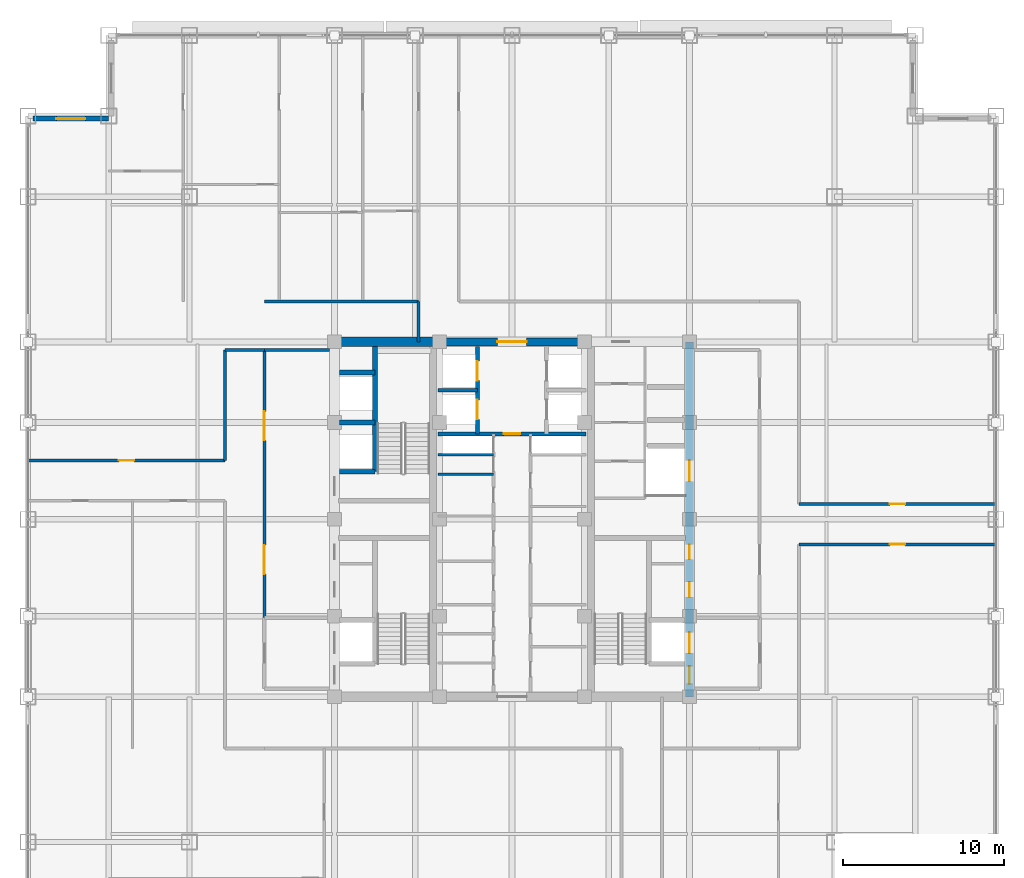
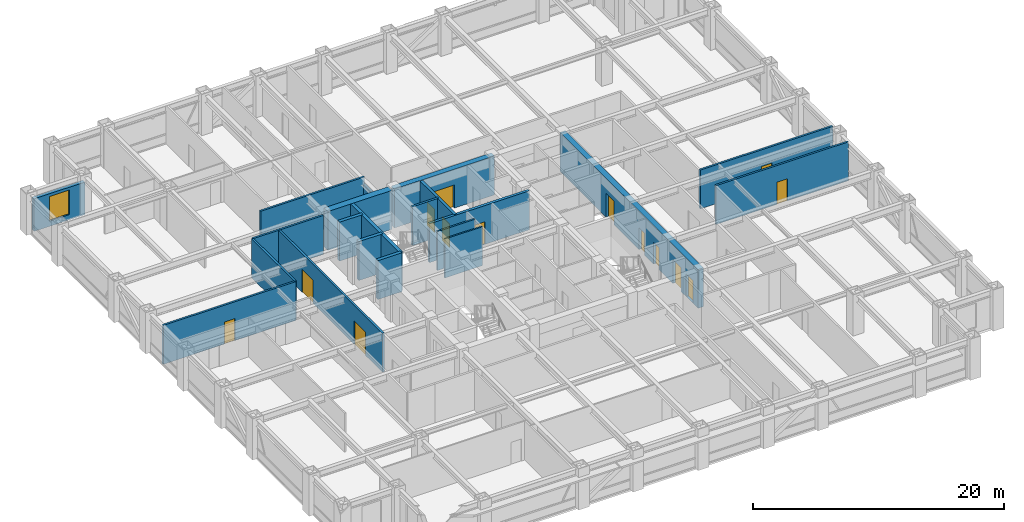
# One storey, part 22 of 29: 22 walls, 14 doors, 1 window, 15 openings.
"""IFC4 building model written with IfcOpenShell, lengths in metres."""

from ifc_helpers import new_model, si_unit, direction, frame, frame_2d, origin, place, context, subcontext, project, spatial, rectangle, extrude, source, transform, mapped, material, layer, layer_set, type_object, element, fill, save


model = new_model("IFC4")

# Units and contexts
model_context = context("Model", 3, precision=1e-05, world=origin(), true_north=direction((0.0, 1.0)))
body_context = subcontext(model_context, "Body", "Model", "MODEL_VIEW")
ifc_project = project(units=[si_unit("LENGTHUNIT", "METRE"), si_unit("AREAUNIT", "SQUARE_METRE"), si_unit("VOLUMEUNIT", "CUBIC_METRE"), si_unit("PLANEANGLEUNIT", "RADIAN"), si_unit("MASSUNIT", "GRAM", prefix="KILO")], contexts=[model_context])

# Site, building, storey
site_placement = place(None, origin())
site = spatial("IfcSite", under=ifc_project, at=site_placement, CompositionType="ELEMENT")
building_placement = place(site_placement, origin())
building = spatial("IfcBuilding", under=site, at=building_placement, Name="Khorayat Bourse Tower", CompositionType="ELEMENT")
storey_placement = place(building_placement, frame((0.0, 0.0, 239.10009765625)))
storey = spatial("IfcBuildingStorey", under=building, at=storey_placement, Name="L56", CompositionType="ELEMENT", Elevation=239.10009765625)

# Wall, opening, door
ifc_material_1 = material(Name="Concrete C52/65", Category="concrete")
ifc_layer_1 = layer(ifc_material_1, 0.5)
ifc_layer_set_1 = layer_set([ifc_layer_1], Name="Concrete C52/65")
wall_type_1 = type_object("IfcWallType", Name="WAL-CORE-500", PredefinedType="SHEAR", material=ifc_layer_set_1)
shared_shape_1 = source(origin(), body_context, "Body", "SweptSolid", [
    extrude(rectangle(XDim=9.2001953125, YDim=0.5, at=frame_2d((4.60009765625, 0.0))), origin(), (0.0, 0.0, 1.0), 3.77978515625),
])
wall_1_placement = place(storey_placement, frame((-4.60009765625, 11.0, 0.0), z_axis=(0.0, 0.0, 1.0), x_axis=(1.0, 0.0, 0.0)))
wall_1 = element("IfcWall", 1, at=wall_1_placement, inside=storey, type_object=wall_type_1, Name="L56 Core Shear Wall CORE-N", PredefinedType="SHEAR", context=body_context, shape_type="MappedRepresentation", body=[
    mapped(shared_shape_1, transform((0.0, 0.0, 0.0), scale=1.0)),
])
shared_shape_2 = source(origin(), body_context, "Body", "SweptSolid", [
    extrude(rectangle(XDim=1.800048828125, YDim=2.25, at=frame_2d((0.89990234375, 1.125))), frame((0.0, 0.260009765625, 0.0), z_axis=(0.0, -1.0, 0.0), x_axis=(1.0, 0.0, 0.0)), (0.0, 0.0, 1.0), 0.52001953125),
])
opening_1_placement = place(wall_1_placement, frame((3.699951171875, 0.0, 0.0)))
opening_1 = element("IfcOpeningElement", 2, at=opening_1_placement, cuts=wall_1, Name="Opening DI-03", PredefinedType="OPENING", context=body_context, shape_type="MappedRepresentation", body=[
    mapped(shared_shape_2, transform((0.0, 0.0, 0.0), scale=1.0)),
])
ifc_material_2 = material(Name="Fire-rated hardwood vision-panel double leaf", Category="wood")
door_type_1 = type_object("IfcDoorType", Name="DR-INT-CORR-1800", OperationType="NOTDEFINED", PredefinedType="DOOR", material=ifc_material_2)
shared_shape_3 = source(origin(), body_context, "Body", "SweptSolid", [
    extrude(rectangle(XDim=1.800048828125, YDim=2.25, at=frame_2d((0.89990234375, 1.125))), frame((0.0, 0.02490234375, 0.0), z_axis=(0.0, -1.0, 0.0), x_axis=(1.0, 0.0, 0.0)), (0.0, 0.0, 1.0), 0.050048828125),
])
door_1_placement = place(opening_1_placement, origin())
door_1 = element("IfcDoor", 3, at=door_1_placement, inside=storey, type_object=door_type_1, Name="L56 Mid-Rise Lift Lobby Door", OperationType="SINGLE_SWING_RIGHT", OverallHeight=2.25, OverallWidth=1.800048828125, PredefinedType="DOOR", context=body_context, shape_type="MappedRepresentation", body=[
    mapped(shared_shape_3, transform((0.0, 0.0, 0.0), scale=1.0)),
])
fill(opening_1, door_1)

# Wall, openings, doors
shared_shape_4 = source(origin(), body_context, "Body", "SweptSolid", [
    extrude(rectangle(XDim=22.0, YDim=0.5, at=frame_2d((11.0, 0.0))), origin(), (0.0, 0.0, 1.0), 3.77978515625),
])
wall_2_placement = place(storey_placement, frame((11.0, -11.0, 0.0), z_axis=(0.0, 0.0, 1.0), x_axis=(0.0, 1.0, 0.0)))
wall_2 = element("IfcWall", 4, at=wall_2_placement, inside=storey, type_object=wall_type_1, Name="L56 Core Shear Wall CORE-E", PredefinedType="SHEAR", context=body_context, shape_type="MappedRepresentation", body=[
    mapped(shared_shape_4, transform((0.0, 0.0, 0.0), scale=1.0)),
])
shared_shape_5 = source(origin(), body_context, "Body", "SweptSolid", [
    extrude(rectangle(XDim=1.10009765625, YDim=2.199951171875, at=frame_2d((0.550048828125, 1.10009765625))), frame((0.0, 0.260009765625, 0.0), z_axis=(0.0, -1.0, 0.0), x_axis=(1.0, 0.0, 0.0)), (0.0, 0.0, 1.0), 0.52001953125),
])
opening_2_placement = place(wall_2_placement, frame((0.800048828125, 0.0, 0.0)))
opening_2 = element("IfcOpeningElement", 5, at=opening_2_placement, cuts=wall_2, Name="Opening DI-01", PredefinedType="OPENING", context=body_context, shape_type="MappedRepresentation", body=[
    mapped(shared_shape_5, transform((0.0, 0.0, 0.0), scale=1.0)),
])
shared_shape_6 = source(origin(), body_context, "Body", "SweptSolid", [
    extrude(rectangle(XDim=0.89990234375, YDim=2.14990234375, at=frame_2d((0.449951171875, 1.074951171875))), frame((0.0, 0.260009765625, 0.0), z_axis=(0.0, -1.0, 0.0), x_axis=(1.0, 0.0, 0.0)), (0.0, 0.0, 1.0), 0.52001953125),
])
opening_3_placement = place(wall_2_placement, frame((6.199951171875, 0.0, 0.0)))
opening_3 = element("IfcOpeningElement", 6, at=opening_3_placement, cuts=wall_2, Name="Opening DI-06", PredefinedType="OPENING", context=body_context, shape_type="MappedRepresentation", body=[
    mapped(shared_shape_6, transform((0.0, 0.0, 0.0), scale=1.0)),
])
opening_4_placement = place(wall_2_placement, frame((8.52490234375, 0.0, 0.0)))
opening_4 = element("IfcOpeningElement", 7, at=opening_4_placement, cuts=wall_2, Name="Opening DI-06", PredefinedType="OPENING", context=body_context, shape_type="MappedRepresentation", body=[
    mapped(shared_shape_6, transform((0.0, 0.0, 0.0), scale=1.0)),
])
shared_shape_7 = source(origin(), body_context, "Body", "SweptSolid", [
    extrude(rectangle(XDim=1.300048828125, YDim=2.300048828125, at=frame_2d((0.64990234375, 1.14990234375))), frame((0.0, 0.260009765625, 0.0), z_axis=(0.0, -1.0, 0.0), x_axis=(1.0, 0.0, 0.0)), (0.0, 0.0, 1.0), 0.52001953125),
])
opening_5_placement = place(wall_2_placement, frame((2.699951171875, 0.0, 0.0)))
opening_5 = element("IfcOpeningElement", 8, at=opening_5_placement, cuts=wall_2, Name="Opening LD-02", PredefinedType="OPENING", context=body_context, shape_type="MappedRepresentation", body=[
    mapped(shared_shape_7, transform((0.0, 0.0, 0.0), scale=1.0)),
])
opening_6_placement = place(wall_2_placement, frame((13.35009765625, 0.0, 0.0)))
opening_6 = element("IfcOpeningElement", 9, at=opening_6_placement, cuts=wall_2, Name="Opening LD-02", PredefinedType="OPENING", context=body_context, shape_type="MappedRepresentation", body=[
    mapped(shared_shape_7, transform((0.0, 0.0, 0.0), scale=1.0)),
])
ifc_material_3 = material(Name="Fire-rated steel acoustic leaf", Category="steel")
door_type_2 = type_object("IfcDoorType", Name="DR-INT-STAIR-1100", OperationType="NOTDEFINED", PredefinedType="DOOR", material=ifc_material_3)
shared_shape_8 = source(origin(), body_context, "Body", "SweptSolid", [
    extrude(rectangle(XDim=1.10009765625, YDim=2.199951171875, at=frame_2d((0.550048828125, 1.10009765625))), frame((0.0, 0.02490234375, 0.0), z_axis=(0.0, -1.0, 0.0), x_axis=(1.0, 0.0, 0.0)), (0.0, 0.0, 1.0), 0.050048828125),
])
door_2_placement = place(opening_2_placement, origin())
door_2 = element("IfcDoor", 10, at=door_2_placement, inside=storey, type_object=door_type_2, Name="L56 Exit Stair 3 Door", OperationType="SINGLE_SWING_LEFT", OverallHeight=2.199951171875, OverallWidth=1.10009765625, PredefinedType="DOOR", context=body_context, shape_type="MappedRepresentation", body=[
    mapped(shared_shape_8, transform((0.0, 0.0, 0.0), scale=1.0)),
])
fill(opening_2, door_2)
ifc_material_4 = material(Name="Moisture-resistant laminate washroom door")
door_type_3 = type_object("IfcDoorType", Name="DR-INT-WC-900", OperationType="NOTDEFINED", PredefinedType="DOOR", material=ifc_material_4)
shared_shape_9 = source(origin(), body_context, "Body", "SweptSolid", [
    extrude(rectangle(XDim=0.89990234375, YDim=2.14990234375, at=frame_2d((0.449951171875, 1.074951171875))), frame((0.0, 0.02490234375, 0.0), z_axis=(0.0, -1.0, 0.0), x_axis=(1.0, 0.0, 0.0)), (0.0, 0.0, 1.0), 0.050048828125),
])
door_3_placement = place(opening_3_placement, origin())
door_3 = element("IfcDoor", 11, at=door_3_placement, inside=storey, type_object=door_type_3, Name="L56 Telecom Closet Door", OperationType="SINGLE_SWING_LEFT", OverallHeight=2.14990234375, OverallWidth=0.89990234375, PredefinedType="DOOR", context=body_context, shape_type="MappedRepresentation", body=[
    mapped(shared_shape_9, transform((0.0, 0.0, 0.0), scale=1.0)),
])
fill(opening_3, door_3)
door_4_placement = place(opening_4_placement, origin())
door_4 = element("IfcDoor", 12, at=door_4_placement, inside=storey, type_object=door_type_3, Name="L56 Stationery Store Door", OperationType="SINGLE_SWING_RIGHT", OverallHeight=2.14990234375, OverallWidth=0.89990234375, PredefinedType="DOOR", context=body_context, shape_type="MappedRepresentation", body=[
    mapped(shared_shape_9, transform((0.0, 0.0, 0.0), scale=1.0)),
])
fill(opening_4, door_4)
ifc_material_5 = material(Name="Fire-rated stainless-steel sliding landing door", Category="steel")
door_type_4 = type_object("IfcDoorType", Name="DR-LIFT-FF-1300", OperationType="NOTDEFINED", PredefinedType="DOOR", material=ifc_material_5)
shared_shape_10 = source(origin(), body_context, "Body", "SweptSolid", [
    extrude(rectangle(XDim=1.300048828125, YDim=2.300048828125, at=frame_2d((0.64990234375, 1.14990234375))), frame((0.0, 0.02490234375, 0.0), z_axis=(0.0, -1.0, 0.0), x_axis=(1.0, 0.0, 0.0)), (0.0, 0.0, 1.0), 0.050048828125),
])
door_5_placement = place(opening_5_placement, origin())
door_5 = element("IfcDoor", 13, at=door_5_placement, inside=storey, type_object=door_type_4, Name="L56 Lift FFL-02 Sliding Landing Door", OperationType="SLIDING_TO_LEFT", OverallHeight=2.300048828125, OverallWidth=1.300048828125, PredefinedType="DOOR", context=body_context, shape_type="MappedRepresentation", body=[
    mapped(shared_shape_10, transform((0.0, 0.0, 0.0), scale=1.0)),
])
fill(opening_5, door_5)
door_6_placement = place(opening_6_placement, origin())
door_6 = element("IfcDoor", 14, at=door_6_placement, inside=storey, type_object=door_type_4, Name="L56 Lift SVL-01 Sliding Landing Door", OperationType="SLIDING_TO_LEFT", OverallHeight=2.300048828125, OverallWidth=1.300048828125, PredefinedType="DOOR", context=body_context, shape_type="MappedRepresentation", body=[
    mapped(shared_shape_10, transform((0.0, 0.0, 0.0), scale=1.0)),
])
fill(opening_6, door_6)

# Wall
ifc_material_6 = material(Name="Concrete C60/75", Category="concrete")
ifc_layer_2 = layer(ifc_material_6, 0.60009765625)
ifc_layer_set_2 = layer_set([ifc_layer_2], Name="Concrete C60/75")
wall_type_2 = type_object("IfcWallType", Name="WAL-CORE-600", PredefinedType="SHEAR", material=ifc_layer_set_2)
shared_shape_11 = source(origin(), body_context, "Body", "SweptSolid", [
    extrude(rectangle(XDim=5.89990234375, YDim=0.60009765625, at=frame_2d((2.949951171875, 0.0))), origin(), (0.0, 0.0, 1.0), 3.77978515625),
])
wall_3_placement = place(storey_placement, frame((-10.75, 11.0, 0.0), z_axis=(0.0, 0.0, 1.0), x_axis=(1.0, 0.0, 0.0)))
element("IfcWall", 15, at=wall_3_placement, inside=storey, type_object=wall_type_2, Name="L56 Core Shear Wall PIER-WN", PredefinedType="SHEAR", context=body_context, shape_type="MappedRepresentation", body=[
    mapped(shared_shape_11, transform((0.0, 0.0, 0.0), scale=1.0)),
])

# Wall, opening, window
ifc_material_7 = material(Name="Precast concrete C45/55", Category="concrete")
ifc_layer_3 = layer(ifc_material_7, 0.320068359375)
ifc_layer_set_3 = layer_set([ifc_layer_3], Name="Precast concrete C45/55")
wall_type_3 = type_object("IfcWallType", Name="WAL-EXT-STONE-320", PredefinedType="STANDARD", material=ifc_layer_set_3)
shared_shape_12 = source(origin(), body_context, "Body", "SweptSolid", [
    extrude(rectangle(XDim=4.679931640625, YDim=0.320068359375, at=frame_2d((2.33984375, 0.0))), origin(), (0.0, 0.0, 1.0), 3.163818359375),
])
wall_4_placement = place(storey_placement, frame((-25.0, 24.840087890625, 0.0), z_axis=(0.0, 0.0, 1.0), x_axis=(-1.0, 0.0, 0.0)))
wall_4 = element("IfcWall", 16, at=wall_4_placement, inside=storey, type_object=wall_type_3, Name="L56 Re-Entrant Notch Limestone Wall NW-H", PredefinedType="STANDARD", context=body_context, shape_type="MappedRepresentation", body=[
    mapped(shared_shape_12, transform((0.0, 0.0, 0.0), scale=1.0)),
])
shared_shape_13 = source(origin(), body_context, "Body", "SweptSolid", [
    extrude(rectangle(XDim=1.800048828125, YDim=2.39990234375, at=frame_2d((0.89990234375, 1.199951171875))), frame((0.0, 0.169921875, 0.0), z_axis=(0.0, -1.0, 0.0), x_axis=(1.0, 0.0, 0.0)), (0.0, 0.0, 1.0), 0.340087890625),
])
opening_7_placement = place(wall_4_placement, frame((1.43994140625, 0.0, 0.5)))
opening_7 = element("IfcOpeningElement", 17, at=opening_7_placement, cuts=wall_4, Name="Opening WN-04", PredefinedType="OPENING", context=body_context, shape_type="MappedRepresentation", body=[
    mapped(shared_shape_13, transform((0.0, 0.0, 0.0), scale=1.0)),
])
ifc_material_8 = material(Name="Low-E acoustic laminated double glazing", Category="glass")
window_type = type_object("IfcWindowType", Name="WIN-NOTCH-1800x2400", PartitioningType="SINGLE_PANEL", PredefinedType="WINDOW", material=ifc_material_8)
shared_shape_14 = source(origin(), body_context, "Body", "SweptSolid", [
    extrude(rectangle(XDim=1.800048828125, YDim=2.39990234375, at=frame_2d((0.89990234375, 1.199951171875))), frame((0.0, 0.030029296875, 0.0), z_axis=(0.0, -1.0, 0.0), x_axis=(1.0, 0.0, 0.0)), (0.0, 0.0, 1.0), 0.06005859375),
])
window_placement = place(opening_7_placement, origin())
window = element("IfcWindow", 18, at=window_placement, inside=storey, type_object=window_type, Name="L56 Facade Window 1", OverallHeight=2.39990234375, OverallWidth=1.800048828125, PartitioningType="SINGLE_PANEL", PredefinedType="WINDOW", context=body_context, shape_type="MappedRepresentation", body=[
    mapped(shared_shape_14, transform((0.0, 0.0, 0.0), scale=1.0)),
])
fill(opening_7, window)

# Walls
ifc_material_9 = material(Name="Concrete C50/60", Category="concrete")
ifc_layer_4 = layer(ifc_material_9, 0.300048828125)
ifc_layer_set_4 = layer_set([ifc_layer_4], Name="Concrete C50/60")
wall_type_4 = type_object("IfcWallType", Name="WAL-SHAFT-300", PredefinedType="SHEAR", material=ifc_layer_set_4)
shared_shape_15 = source(origin(), body_context, "Body", "SweptSolid", [
    extrude(rectangle(XDim=2.199951171875, YDim=0.300048828125, at=frame_2d((1.10009765625, 0.0))), origin(), (0.0, 0.0, 1.0), 3.77978515625),
])
for number, where, z_axis, x_axis, name in (
    (19, (-10.699951171875, 2.949951171875, 0.0), (0.0, 0.0, 1.0), (1.0, 0.0, 0.0), "L56 Partition WAL-L56-WPIER-H1S"),
    (20, (-10.699951171875, 6.0, 0.0), (0.0, 0.0, 1.0), (1.0, 0.0, 0.0), "L56 Partition WAL-L56-WPIER-H12"),
    (21, (-10.699951171875, 9.10009765625, 0.0), (0.0, 0.0, 1.0), (1.0, 0.0, 0.0), "L56 Partition WAL-L56-WPIER-H2N"),
):
    element("IfcWall", number, at=place(storey_placement, frame(where, z_axis=z_axis, x_axis=x_axis)), inside=storey, type_object=wall_type_4, Name=name, PredefinedType="SHEAR", context=body_context, shape_type="MappedRepresentation", body=[
        mapped(shared_shape_15, transform((0.0, 0.0, 0.0), scale=1.0)),
    ])
shared_shape_16 = source(origin(), body_context, "Body", "SweptSolid", [
    extrude(rectangle(XDim=7.75, YDim=0.300048828125, at=frame_2d((3.875, 0.0))), origin(), (0.0, 0.0, 1.0), 3.77978515625),
])
wall_5_placement = place(storey_placement, frame((-8.5, 2.949951171875, 0.0), z_axis=(0.0, 0.0, 1.0), x_axis=(0.0, 1.0, 0.0)))
element("IfcWall", 22, at=wall_5_placement, inside=storey, type_object=wall_type_4, Name="L56 Partition WAL-L56-WPIER-ST2S", PredefinedType="SHEAR", context=body_context, shape_type="MappedRepresentation", body=[
    mapped(shared_shape_16, transform((0.0, 0.0, 0.0), scale=1.0)),
])
ifc_material_10 = material(Name="Gypsum plasterboard acoustic stud wall")
ifc_layer_5 = layer(ifc_material_10, 0.179931640625)
ifc_layer_set_5 = layer_set([ifc_layer_5], Name="Gypsum plasterboard acoustic stud wall")
wall_type_5 = type_object("IfcWallType", Name="WAL-PART-CORR-180", PredefinedType="PARTITIONING", material=ifc_layer_set_5)
shared_shape_17 = source(origin(), body_context, "Body", "SweptSolid", [
    extrude(rectangle(XDim=4.050048828125, YDim=0.179931640625, at=frame_2d((2.02490234375, 0.0))), origin(), (0.0, 0.0, 1.0), 3.77978515625),
])
wall_6_placement = place(storey_placement, frame((-15.35009765625, 10.5, 0.0), z_axis=(0.0, 0.0, 1.0), x_axis=(1.0, 0.0, 0.0)))
element("IfcWall", 23, at=wall_6_placement, inside=storey, type_object=wall_type_5, Name="L56 Partition WAL-L56-WLOB-N", PredefinedType="PARTITIONING", context=body_context, shape_type="MappedRepresentation", body=[
    mapped(shared_shape_17, transform((0.0, 0.0, 0.0), scale=1.0)),
])

# Wall, openings, doors
shared_shape_18 = source(origin(), body_context, "Body", "SweptSolid", [
    extrude(rectangle(XDim=16.60009765625, YDim=0.179931640625, at=frame_2d((8.300048828125, 0.0))), origin(), (0.0, 0.0, 1.0), 3.77978515625),
])
wall_7_placement = place(storey_placement, frame((-15.35009765625, -6.10009765625, 0.0), z_axis=(0.0, 0.0, 1.0), x_axis=(0.0, 1.0, 0.0)))
wall_7 = element("IfcWall", 24, at=wall_7_placement, inside=storey, type_object=wall_type_5, Name="L56 Partition WAL-L56-WLOB-W", PredefinedType="PARTITIONING", context=body_context, shape_type="MappedRepresentation", body=[
    mapped(shared_shape_18, transform((0.0, 0.0, 0.0), scale=1.0)),
])
shared_shape_19 = source(origin(), body_context, "Body", "SweptSolid", [
    extrude(rectangle(XDim=1.800048828125, YDim=2.25, at=frame_2d((0.89990234375, 1.125))), frame((0.0, 0.099853515625, 0.0), z_axis=(0.0, -1.0, 0.0), x_axis=(1.0, 0.0, 0.0)), (0.0, 0.0, 1.0), 0.199951171875),
])
opening_8_placement = place(wall_7_placement, frame((2.699951171875, 0.0, 0.0)))
opening_8 = element("IfcOpeningElement", 25, at=opening_8_placement, cuts=wall_7, Name="Opening DI-03", PredefinedType="OPENING", context=body_context, shape_type="MappedRepresentation", body=[
    mapped(shared_shape_19, transform((0.0, 0.0, 0.0), scale=1.0)),
])
opening_9_placement = place(wall_7_placement, frame((11.0, 0.0, 0.0)))
opening_9 = element("IfcOpeningElement", 26, at=opening_9_placement, cuts=wall_7, Name="Opening DI-03", PredefinedType="OPENING", context=body_context, shape_type="MappedRepresentation", body=[
    mapped(shared_shape_19, transform((0.0, 0.0, 0.0), scale=1.0)),
])
door_7_placement = place(opening_8_placement, origin())
door_7 = element("IfcDoor", 27, at=door_7_placement, inside=storey, type_object=door_type_1, Name="L56 West Core Lobby South Door", OperationType="SINGLE_SWING_LEFT", OverallHeight=2.25, OverallWidth=1.800048828125, PredefinedType="DOOR", context=body_context, shape_type="MappedRepresentation", body=[
    mapped(shared_shape_3, transform((0.0, 0.0, 0.0), scale=1.0)),
])
fill(opening_8, door_7)
door_8_placement = place(opening_9_placement, origin())
door_8 = element("IfcDoor", 28, at=door_8_placement, inside=storey, type_object=door_type_1, Name="L56 West Core Lobby North Door", OperationType="SINGLE_SWING_RIGHT", OverallHeight=2.25, OverallWidth=1.800048828125, PredefinedType="DOOR", context=body_context, shape_type="MappedRepresentation", body=[
    mapped(shared_shape_3, transform((0.0, 0.0, 0.0), scale=1.0)),
])
fill(opening_9, door_8)

# Walls
ifc_material_11 = material(Name="Gypsum plasterboard twin-frame partition")
ifc_layer_6 = layer(ifc_material_11, 0.14990234375)
ifc_layer_set_6 = layer_set([ifc_layer_6], Name="Gypsum plasterboard twin-frame partition")
wall_type_6 = type_object("IfcWallType", Name="WAL-PART-SUITE-150", PredefinedType="PARTITIONING", material=ifc_layer_set_6)
shared_shape_20 = source(origin(), body_context, "Body", "SweptSolid", [
    extrude(rectangle(XDim=3.4501953125, YDim=0.14990234375, at=frame_2d((1.72509765625, 0.0))), origin(), (0.0, 0.0, 1.0), 3.77978515625),
])
wall_8_placement = place(storey_placement, frame((-4.60009765625, 4.0, 0.0), z_axis=(0.0, 0.0, 1.0), x_axis=(1.0, 0.0, 0.0)))
element("IfcWall", 29, at=wall_8_placement, inside=storey, type_object=wall_type_6, Name="L56 Partition WAL-L56-CRSW-S", PredefinedType="PARTITIONING", context=body_context, shape_type="MappedRepresentation", body=[
    mapped(shared_shape_20, transform((0.0, 0.0, 0.0), scale=1.0)),
])
ifc_material_12 = material(Name="Moisture-resistant masonry partition", Category="masonry")
ifc_layer_7 = layer(ifc_material_12, 0.139892578125)
ifc_layer_set_7 = layer_set([ifc_layer_7], Name="Moisture-resistant masonry partition")
wall_type_7 = type_object("IfcWallType", Name="WAL-PART-WET-140", PredefinedType="PARTITIONING", material=ifc_layer_set_7)
shared_shape_21 = source(origin(), body_context, "Body", "SweptSolid", [
    extrude(rectangle(XDim=3.4501953125, YDim=0.139892578125, at=frame_2d((1.72509765625, 0.0))), origin(), (0.0, 0.0, 1.0), 3.77978515625),
])
wall_9_placement = place(storey_placement, frame((-4.60009765625, 2.800048828125, 0.0), z_axis=(0.0, 0.0, 1.0), x_axis=(1.0, 0.0, 0.0)))
element("IfcWall", 30, at=wall_9_placement, inside=storey, type_object=wall_type_7, Name="L56 Partition WAL-L56-CMW-D3", PredefinedType="PARTITIONING", context=body_context, shape_type="MappedRepresentation", body=[
    mapped(shared_shape_21, transform((0.0, 0.0, 0.0), scale=1.0)),
])

# Wall, openings, doors
shared_shape_22 = source(origin(), body_context, "Body", "SweptSolid", [
    extrude(rectangle(XDim=5.39990234375, YDim=0.25, at=frame_2d((2.699951171875, 0.0))), origin(), (0.0, 0.0, 1.0), 3.77978515625),
])
wall_10_placement = place(storey_placement, frame((-2.14990234375, 5.300048828125, 0.0), z_axis=(0.0, 0.0, 1.0), x_axis=(0.0, 1.0, 0.0)))
wall_10 = element("IfcWall", 31, at=wall_10_placement, inside=storey, type_object=wall_type_4, Name="L56 Partition WAL-L56-B2-W", PredefinedType="SHEAR", context=body_context, shape_type="MappedRepresentation", body=[
    mapped(shared_shape_22, transform((0.0, 0.0, 0.0), scale=1.0)),
])
shared_shape_23 = source(origin(), body_context, "Body", "SweptSolid", [
    extrude(rectangle(XDim=1.199951171875, YDim=2.300048828125, at=frame_2d((0.60009765625, 1.14990234375))), frame((0.0, 0.135009765625, 0.0), z_axis=(0.0, -1.0, 0.0), x_axis=(1.0, 0.0, 0.0)), (0.0, 0.0, 1.0), 0.27001953125),
])
opening_10_placement = place(wall_10_placement, frame((3.300048828125, 0.0, 0.0)))
opening_10 = element("IfcOpeningElement", 32, at=opening_10_placement, cuts=wall_10, Name="Opening LD-01", PredefinedType="OPENING", context=body_context, shape_type="MappedRepresentation", body=[
    mapped(shared_shape_23, transform((0.0, 0.0, 0.0), scale=1.0)),
])
opening_11_placement = place(wall_10_placement, frame((0.89990234375, 0.0, 0.0)))
opening_11 = element("IfcOpeningElement", 33, at=opening_11_placement, cuts=wall_10, Name="Opening LD-01", PredefinedType="OPENING", context=body_context, shape_type="MappedRepresentation", body=[
    mapped(shared_shape_23, transform((0.0, 0.0, 0.0), scale=1.0)),
])
ifc_material_13 = material(Name="Brushed bronze stainless-steel sliding door", Category="steel")
door_type_5 = type_object("IfcDoorType", Name="DR-LIFT-PASS-1200", OperationType="NOTDEFINED", PredefinedType="DOOR", material=ifc_material_13)
shared_shape_24 = source(origin(), body_context, "Body", "SweptSolid", [
    extrude(rectangle(XDim=1.199951171875, YDim=2.300048828125, at=frame_2d((0.60009765625, 1.14990234375))), frame((0.0, 0.02490234375, 0.0), z_axis=(0.0, -1.0, 0.0), x_axis=(1.0, 0.0, 0.0)), (0.0, 0.0, 1.0), 0.050048828125),
])
door_9_placement = place(opening_10_placement, origin())
door_9 = element("IfcDoor", 34, at=door_9_placement, inside=storey, type_object=door_type_5, Name="L56 Lift PL-M1 Sliding Landing Door", OperationType="SLIDING_TO_LEFT", OverallHeight=2.300048828125, OverallWidth=1.199951171875, PredefinedType="DOOR", context=body_context, shape_type="MappedRepresentation", body=[
    mapped(shared_shape_24, transform((0.0, 0.0, 0.0), scale=1.0)),
])
fill(opening_10, door_9)
door_10_placement = place(opening_11_placement, origin())
door_10 = element("IfcDoor", 35, at=door_10_placement, inside=storey, type_object=door_type_5, Name="L56 Lift PL-M3 Sliding Landing Door", OperationType="SLIDING_TO_LEFT", OverallHeight=2.300048828125, OverallWidth=1.199951171875, PredefinedType="DOOR", context=body_context, shape_type="MappedRepresentation", body=[
    mapped(shared_shape_24, transform((0.0, 0.0, 0.0), scale=1.0)),
])
fill(opening_11, door_10)

# Wall
shared_shape_25 = source(origin(), body_context, "Body", "SweptSolid", [
    extrude(rectangle(XDim=2.4501953125, YDim=0.199951171875, at=frame_2d((1.22509765625, 0.0))), origin(), (0.0, 0.0, 1.0), 3.77978515625),
])
wall_11_placement = place(storey_placement, frame((-4.60009765625, 8.0, 0.0), z_axis=(0.0, 0.0, 1.0), x_axis=(1.0, 0.0, 0.0)))
element("IfcWall", 36, at=wall_11_placement, inside=storey, type_object=wall_type_4, Name="L56 Partition WAL-L56-B2-MW", PredefinedType="SHEAR", context=body_context, shape_type="MappedRepresentation", body=[
    mapped(shared_shape_25, transform((0.0, 0.0, 0.0), scale=1.0)),
])

# Wall, opening, door
shared_shape_26 = source(origin(), body_context, "Body", "SweptSolid", [
    extrude(rectangle(XDim=9.2001953125, YDim=0.25, at=frame_2d((4.60009765625, 0.0))), origin(), (0.0, 0.0, 1.0), 3.77978515625),
])
wall_12_placement = place(storey_placement, frame((-4.60009765625, 5.300048828125, 0.0), z_axis=(0.0, 0.0, 1.0), x_axis=(1.0, 0.0, 0.0)))
wall_12 = element("IfcWall", 37, at=wall_12_placement, inside=storey, type_object=wall_type_4, Name="L56 Partition WAL-L56-B2-S", PredefinedType="SHEAR", context=body_context, shape_type="MappedRepresentation", body=[
    mapped(shared_shape_26, transform((0.0, 0.0, 0.0), scale=1.0)),
])
shared_shape_27 = source(origin(), body_context, "Body", "SweptSolid", [
    extrude(rectangle(XDim=1.050048828125, YDim=2.199951171875, at=frame_2d((0.52490234375, 1.10009765625))), frame((0.0, 0.135009765625, 0.0), z_axis=(0.0, -1.0, 0.0), x_axis=(1.0, 0.0, 0.0)), (0.0, 0.0, 1.0), 0.27001953125),
])
opening_12_placement = place(wall_12_placement, frame((4.074951171875, 0.0, 0.0)))
opening_12 = element("IfcOpeningElement", 38, at=opening_12_placement, cuts=wall_12, Name="Opening DI-04", PredefinedType="OPENING", context=body_context, shape_type="MappedRepresentation", body=[
    mapped(shared_shape_27, transform((0.0, 0.0, 0.0), scale=1.0)),
])
ifc_material_14 = material(Name="Fire-rated oak veneer suite entrance door")
door_type_6 = type_object("IfcDoorType", Name="DR-INT-SUITE-1050", OperationType="NOTDEFINED", PredefinedType="DOOR", material=ifc_material_14)
shared_shape_28 = source(origin(), body_context, "Body", "SweptSolid", [
    extrude(rectangle(XDim=1.050048828125, YDim=2.199951171875, at=frame_2d((0.52490234375, 1.10009765625))), frame((0.0, 0.02490234375, 0.0), z_axis=(0.0, -1.0, 0.0), x_axis=(1.0, 0.0, 0.0)), (0.0, 0.0, 1.0), 0.050048828125),
])
door_11_placement = place(opening_12_placement, origin())
door_11 = element("IfcDoor", 39, at=door_11_placement, inside=storey, type_object=door_type_6, Name="L56 Core Spine North Door", OperationType="SINGLE_SWING_RIGHT", OverallHeight=2.199951171875, OverallWidth=1.050048828125, PredefinedType="DOOR", context=body_context, shape_type="MappedRepresentation", body=[
    mapped(shared_shape_28, transform((0.0, 0.0, 0.0), scale=1.0)),
])
fill(opening_12, door_11)

# Wall
shared_shape_29 = source(origin(), body_context, "Body", "SweptSolid", [
    extrude(rectangle(XDim=2.449951171875, YDim=0.179931640625, at=frame_2d((1.22509765625, 0.0))), origin(), (0.0, 0.0, 1.0), 3.77978515625),
])
wall_13_placement = place(storey_placement, frame((-17.800048828125, 10.5, 0.0), z_axis=(0.0, 0.0, 1.0), x_axis=(1.0, 0.0, 0.0)))
element("IfcWall", 40, at=wall_13_placement, inside=storey, type_object=wall_type_5, Name="L56 Partition WAL-L56-C2-WN", PredefinedType="PARTITIONING", context=body_context, shape_type="MappedRepresentation", body=[
    mapped(shared_shape_29, transform((0.0, 0.0, 0.0), scale=1.0)),
])

# Wall, opening, door
shared_shape_30 = source(origin(), body_context, "Body", "SweptSolid", [
    extrude(rectangle(XDim=12.199951171875, YDim=0.179931640625, at=frame_2d((6.10009765625, 0.0))), origin(), (0.0, 0.0, 1.0), 3.77978515625),
])
wall_14_placement = place(storey_placement, frame((-30.0, 3.64990234375, 0.0), z_axis=(0.0, 0.0, 1.0), x_axis=(1.0, 0.0, 0.0)))
wall_14 = element("IfcWall", 41, at=wall_14_placement, inside=storey, type_object=wall_type_5, Name="L56 Partition WAL-L56-WN-SPK", PredefinedType="PARTITIONING", context=body_context, shape_type="MappedRepresentation", body=[
    mapped(shared_shape_30, transform((0.0, 0.0, 0.0), scale=1.0)),
])
shared_shape_31 = source(origin(), body_context, "Body", "SweptSolid", [
    extrude(rectangle(XDim=0.949951171875, YDim=2.14990234375, at=frame_2d((0.47509765625, 1.074951171875))), frame((0.0, 0.099853515625, 0.0), z_axis=(0.0, -1.0, 0.0), x_axis=(1.0, 0.0, 0.0)), (0.0, 0.0, 1.0), 0.199951171875),
])
opening_13_placement = place(wall_14_placement, frame((5.625, 0.0, 0.0)))
opening_13 = element("IfcOpeningElement", 42, at=opening_13_placement, cuts=wall_14, Name="Opening DI-05", PredefinedType="OPENING", context=body_context, shape_type="MappedRepresentation", body=[
    mapped(shared_shape_31, transform((0.0, 0.0, 0.0), scale=1.0)),
])
ifc_material_15 = material(Name="Acoustic oak veneer office door")
door_type_7 = type_object("IfcDoorType", Name="DR-INT-OFFICE-950", OperationType="NOTDEFINED", PredefinedType="DOOR", material=ifc_material_15)
shared_shape_32 = source(origin(), body_context, "Body", "SweptSolid", [
    extrude(rectangle(XDim=0.949951171875, YDim=2.14990234375, at=frame_2d((0.47509765625, 1.074951171875))), frame((0.0, 0.02490234375, 0.0), z_axis=(0.0, -1.0, 0.0), x_axis=(1.0, 0.0, 0.0)), (0.0, 0.0, 1.0), 0.050048828125),
])
door_12_placement = place(opening_13_placement, origin())
door_12 = element("IfcDoor", 43, at=door_12_placement, inside=storey, type_object=door_type_7, Name="L56 Equities Trading Desk WN Door", OperationType="SINGLE_SWING_LEFT", OverallHeight=2.14990234375, OverallWidth=0.949951171875, PredefinedType="DOOR", context=body_context, shape_type="MappedRepresentation", body=[
    mapped(shared_shape_32, transform((0.0, 0.0, 0.0), scale=1.0)),
])
fill(opening_13, door_12)

wall_15_placement = place(storey_placement, frame((17.800048828125, -1.550048828125, 0.0), z_axis=(0.0, 0.0, 1.0), x_axis=(1.0, 0.0, 0.0)))
wall_15 = element("IfcWall", 44, at=wall_15_placement, inside=storey, type_object=wall_type_5, Name="L56 Partition WAL-L56-ES-SPK", PredefinedType="PARTITIONING", context=body_context, shape_type="MappedRepresentation", body=[
    mapped(shared_shape_30, transform((0.0, 0.0, 0.0), scale=1.0)),
])
opening_14_placement = place(wall_15_placement, frame((5.625, 0.0, 0.0)))
opening_14 = element("IfcOpeningElement", 45, at=opening_14_placement, cuts=wall_15, Name="Opening DI-05", PredefinedType="OPENING", context=body_context, shape_type="MappedRepresentation", body=[
    mapped(shared_shape_31, transform((0.0, 0.0, 0.0), scale=1.0)),
])
door_13_placement = place(opening_14_placement, origin())
door_13 = element("IfcDoor", 46, at=door_13_placement, inside=storey, type_object=door_type_7, Name="L56 Staff Tea Pantry ES Door", OperationType="SINGLE_SWING_LEFT", OverallHeight=2.14990234375, OverallWidth=0.949951171875, PredefinedType="DOOR", context=body_context, shape_type="MappedRepresentation", body=[
    mapped(shared_shape_32, transform((0.0, 0.0, 0.0), scale=1.0)),
])
fill(opening_14, door_13)

wall_16_placement = place(storey_placement, frame((17.800048828125, 0.949951171875, 0.0), z_axis=(0.0, 0.0, 1.0), x_axis=(1.0, 0.0, 0.0)))
wall_16 = element("IfcWall", 47, at=wall_16_placement, inside=storey, type_object=wall_type_5, Name="L56 Partition WAL-L56-EN-SPK", PredefinedType="PARTITIONING", context=body_context, shape_type="MappedRepresentation", body=[
    mapped(shared_shape_30, transform((0.0, 0.0, 0.0), scale=1.0)),
])
opening_15_placement = place(wall_16_placement, frame((5.625, 0.0, 0.0)))
opening_15 = element("IfcOpeningElement", 48, at=opening_15_placement, cuts=wall_16, Name="Opening DI-05", PredefinedType="OPENING", context=body_context, shape_type="MappedRepresentation", body=[
    mapped(shared_shape_31, transform((0.0, 0.0, 0.0), scale=1.0)),
])
door_14_placement = place(opening_15_placement, origin())
door_14 = element("IfcDoor", 49, at=door_14_placement, inside=storey, type_object=door_type_7, Name="L56 Clearing Operations Office EN Door", OperationType="SINGLE_SWING_LEFT", OverallHeight=2.14990234375, OverallWidth=0.949951171875, PredefinedType="DOOR", context=body_context, shape_type="MappedRepresentation", body=[
    mapped(shared_shape_32, transform((0.0, 0.0, 0.0), scale=1.0)),
])
fill(opening_15, door_14)

# Walls
shared_shape_33 = source(origin(), body_context, "Body", "SweptSolid", [
    extrude(rectangle(XDim=9.550048828125, YDim=0.179931640625, at=frame_2d((4.77490234375, 0.0))), origin(), (0.0, 0.0, 1.0), 3.77978515625),
])
wall_17_placement = place(storey_placement, frame((-15.35009765625, 13.5, 0.0), z_axis=(0.0, 0.0, 1.0), x_axis=(1.0, 0.0, 0.0)))
element("IfcWall", 50, at=wall_17_placement, inside=storey, type_object=wall_type_5, Name="L56 Partition WAL-L56-QNW-HC", PredefinedType="PARTITIONING", context=body_context, shape_type="MappedRepresentation", body=[
    mapped(shared_shape_33, transform((0.0, 0.0, 0.0), scale=1.0)),
])
shared_shape_34 = source(origin(), body_context, "Body", "SweptSolid", [
    extrude(rectangle(XDim=2.5, YDim=0.179931640625, at=frame_2d((1.25, 0.0))), origin(), (0.0, 0.0, 1.0), 3.0849609375),
])
wall_18_placement = place(storey_placement, frame((-5.800048828125, 11.0, 0.0), z_axis=(0.0, 0.0, 1.0), x_axis=(0.0, 1.0, 0.0)))
element("IfcWall", 51, at=wall_18_placement, inside=storey, type_object=wall_type_5, Name="L56 Partition WAL-L56-C2-NCW", PredefinedType="PARTITIONING", context=body_context, shape_type="MappedRepresentation", body=[
    mapped(shared_shape_34, transform((0.0, 0.0, 0.0), scale=1.0)),
])
shared_shape_35 = source(origin(), body_context, "Body", "SweptSolid", [
    extrude(rectangle(XDim=6.85009765625, YDim=0.179931640625, at=frame_2d((3.425048828125, 0.0))), origin(), (0.0, 0.0, 1.0), 3.77978515625),
])
wall_19_placement = place(storey_placement, frame((-17.800048828125, 3.64990234375, 0.0), z_axis=(0.0, 0.0, 1.0), x_axis=(0.0, 1.0, 0.0)))
element("IfcWall", 52, at=wall_19_placement, inside=storey, type_object=wall_type_5, Name="L56 Partition WAL-L56-WN-IN", PredefinedType="PARTITIONING", context=body_context, shape_type="MappedRepresentation", body=[
    mapped(shared_shape_35, transform((0.0, 0.0, 0.0), scale=1.0)),
])

save(model, "model.ifc")
